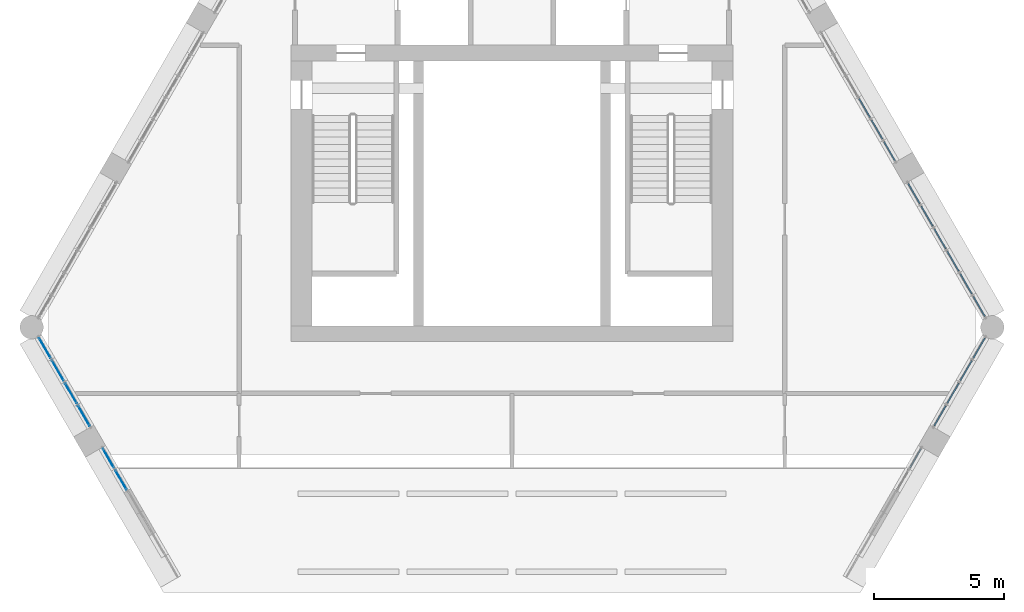
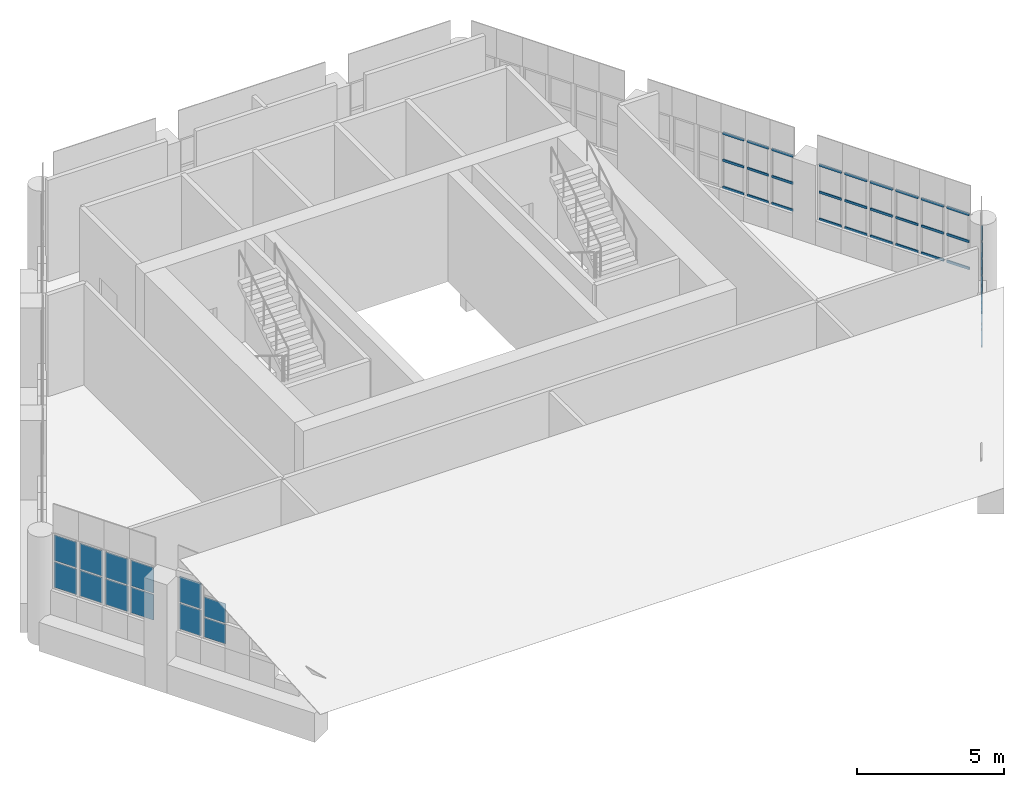
# One storey, part 15 of 23: 40 members, 12 plates, 20 elements without a shape of their own.
"""IFC4 building model written with IfcOpenShell, lengths in metres."""

from ifc_helpers import new_model, si_unit, direction, frame, origin, origin_2d, place, context, subcontext, project, spatial, rectangle, hollow_rectangle, extrude, material, layer, layer_set, material_profile, profile_set, type_object, element, aggregate, save


model = new_model("IFC4")

# Units and contexts
model_context = context("Model", 3, precision=1e-05, world=origin(), true_north=direction((0.0, 1.0)))
body_context = subcontext(model_context, "Body", "Model", "MODEL_VIEW")
ifc_project = project(units=[si_unit("LENGTHUNIT", "METRE"), si_unit("AREAUNIT", "SQUARE_METRE"), si_unit("VOLUMEUNIT", "CUBIC_METRE"), si_unit("PLANEANGLEUNIT", "RADIAN"), si_unit("MASSUNIT", "GRAM", prefix="KILO")], contexts=[model_context])

# Site, building, storey
site_placement = place(None, origin())
site = spatial("IfcSite", under=ifc_project, at=site_placement, CompositionType="ELEMENT")
building_placement = place(site_placement, origin())
building = spatial("IfcBuilding", under=site, at=building_placement, Name="Ostrander Bayou Hotel Tower", CompositionType="ELEMENT")
storey_placement = place(building_placement, frame((0.0, 0.0, 279.5)))
storey = spatial("IfcBuildingStorey", under=building, at=storey_placement, Name="L69", CompositionType="ELEMENT", Elevation=279.5)

# Curtain wall, member
ifc_material_1 = material(Name="Aluminium and clear glass", Category="aluminium")
curtain_wall_type = type_object("IfcCurtainWallType", Name="CW-CROWN glazed wall", PredefinedType="NOTDEFINED", material=ifc_material_1)
curtain_wall_1_placement = place(storey_placement, origin())
curtain_wall_1 = element("IfcCurtainWall", 1, at=curtain_wall_1_placement, inside=storey, type_object=curtain_wall_type, Name="CW-CROWN L69:SE-2-6", PredefinedType="NOTDEFINED")
ifc_material_2 = material(Name="Aluminium", Category="aluminium")
ifc_material_profile = material_profile(ifc_material_2, hollow_rectangle(XDim=0.050048828125, YDim=0.10009765625, WallThickness=0.00390625, at=origin_2d()))
ifc_profile_set = profile_set([ifc_material_profile], Name="Aluminium")
member_type = type_object("IfcMemberType", Name="CW-CR transom 50 x 100 mm", PredefinedType="USERDEFINED", material=ifc_profile_set)
member_1_placement = place(storey_placement, frame((15.320068359375, -6.56494140625, 3.27001953125), z_axis=(0.499930913282, 0.866065287345, 0.0), x_axis=(-0.866065287345, 0.499930913282, 0.0)))
member_1 = element("IfcMember", 2, at=member_1_placement, type_object=member_type, Name="CW-CROWN transom 1.3", ObjectType="TRANSOM", PredefinedType="USERDEFINED", context=body_context, shape_type="SweptSolid", body=[
    extrude(hollow_rectangle(XDim=0.050048828125, YDim=0.10009765625, WallThickness=0.00390625, at=origin_2d()), origin(), (0.0, 0.0, 1.0), 0.8447265625),
])
aggregate(curtain_wall_1, [member_1])

# Curtain wall, members
curtain_wall_2_placement = place(storey_placement, origin())
curtain_wall_2 = element("IfcCurtainWall", 3, at=curtain_wall_2_placement, inside=storey, type_object=curtain_wall_type, Name="CW-CROWN L69:SE-3-1", PredefinedType="NOTDEFINED")
member_2_placement = place(storey_placement, frame((16.25244140625, -4.949951171875, 1.030029296875), z_axis=(0.500001430823, 0.866024577697, 0.0), x_axis=(-0.866024577697, 0.500001430823, 0.0)))
member_2 = element("IfcMember", 4, at=member_2_placement, type_object=member_type, Name="CW-CROWN transom 1.1", ObjectType="TRANSOM", PredefinedType="USERDEFINED", context=body_context, shape_type="SweptSolid", body=[
    extrude(hollow_rectangle(XDim=0.050048828125, YDim=0.10009765625, WallThickness=0.00390625, at=origin_2d()), origin(), (0.0, 0.0, 1.0), 0.8837890625),
])
member_3_placement = place(storey_placement, frame((16.25244140625, -4.949951171875, 2.14990234375), z_axis=(0.500001430823, 0.866024577697, 0.0), x_axis=(-0.866024577697, 0.500001430823, 0.0)))
member_3 = element("IfcMember", 5, at=member_3_placement, type_object=member_type, Name="CW-CROWN transom 1.2", ObjectType="TRANSOM", PredefinedType="USERDEFINED", context=body_context, shape_type="SweptSolid", body=[
    extrude(hollow_rectangle(XDim=0.050048828125, YDim=0.10009765625, WallThickness=0.00390625, at=origin_2d()), origin(), (0.0, 0.0, 1.0), 0.8837890625),
])
member_4_placement = place(storey_placement, frame((16.25244140625, -4.949951171875, 3.27001953125), z_axis=(0.500001430823, 0.866024577697, 0.0), x_axis=(-0.866024577697, 0.500001430823, 0.0)))
member_4 = element("IfcMember", 6, at=member_4_placement, type_object=member_type, Name="CW-CROWN transom 1.3", ObjectType="TRANSOM", PredefinedType="USERDEFINED", context=body_context, shape_type="SweptSolid", body=[
    extrude(hollow_rectangle(XDim=0.050048828125, YDim=0.10009765625, WallThickness=0.00390625, at=origin_2d()), origin(), (0.0, 0.0, 1.0), 0.8837890625),
])
aggregate(curtain_wall_2, [member_2, member_3, member_4])

curtain_wall_3_placement = place(storey_placement, origin())
curtain_wall_3 = element("IfcCurtainWall", 7, at=curtain_wall_3_placement, inside=storey, type_object=curtain_wall_type, Name="CW-CROWN L69:SE-3-2", PredefinedType="NOTDEFINED")
member_5_placement = place(storey_placement, frame((16.75439453125, -4.080810546875, 1.030029296875), z_axis=(0.499881837328, 0.866093614288, 0.0), x_axis=(-0.866093614288, 0.499881837328, 0.0)))
member_5 = element("IfcMember", 8, at=member_5_placement, type_object=member_type, Name="CW-CROWN transom 1.1", ObjectType="TRANSOM", PredefinedType="USERDEFINED", context=body_context, shape_type="SweptSolid", body=[
    extrude(hollow_rectangle(XDim=0.050048828125, YDim=0.10009765625, WallThickness=0.00390625, at=origin_2d()), origin(), (0.0, 0.0, 1.0), 0.884033203125),
])
member_6_placement = place(storey_placement, frame((16.75439453125, -4.080810546875, 2.14990234375), z_axis=(0.499881837328, 0.866093614288, 0.0), x_axis=(-0.866093614288, 0.499881837328, 0.0)))
member_6 = element("IfcMember", 9, at=member_6_placement, type_object=member_type, Name="CW-CROWN transom 1.2", ObjectType="TRANSOM", PredefinedType="USERDEFINED", context=body_context, shape_type="SweptSolid", body=[
    extrude(hollow_rectangle(XDim=0.050048828125, YDim=0.10009765625, WallThickness=0.00390625, at=origin_2d()), origin(), (0.0, 0.0, 1.0), 0.884033203125),
])
member_7_placement = place(storey_placement, frame((16.75439453125, -4.080810546875, 3.27001953125), z_axis=(0.499881837328, 0.866093614288, 0.0), x_axis=(-0.866093614288, 0.499881837328, 0.0)))
member_7 = element("IfcMember", 10, at=member_7_placement, type_object=member_type, Name="CW-CROWN transom 1.3", ObjectType="TRANSOM", PredefinedType="USERDEFINED", context=body_context, shape_type="SweptSolid", body=[
    extrude(hollow_rectangle(XDim=0.050048828125, YDim=0.10009765625, WallThickness=0.00390625, at=origin_2d()), origin(), (0.0, 0.0, 1.0), 0.884033203125),
])
aggregate(curtain_wall_3, [member_5, member_6, member_7])

curtain_wall_4_placement = place(storey_placement, origin())
curtain_wall_4 = element("IfcCurtainWall", 11, at=curtain_wall_4_placement, inside=storey, type_object=curtain_wall_type, Name="CW-CROWN L69:SE-3-3", PredefinedType="NOTDEFINED")
member_8_placement = place(storey_placement, frame((17.256103515625, -3.21142578125, 1.030029296875), z_axis=(0.500001430823, 0.866024577697, 0.0), x_axis=(-0.866024577697, 0.500001430823, 0.0)))
member_8 = element("IfcMember", 12, at=member_8_placement, type_object=member_type, Name="CW-CROWN transom 1.1", ObjectType="TRANSOM", PredefinedType="USERDEFINED", context=body_context, shape_type="SweptSolid", body=[
    extrude(hollow_rectangle(XDim=0.050048828125, YDim=0.10009765625, WallThickness=0.00390625, at=origin_2d()), origin(), (0.0, 0.0, 1.0), 0.8837890625),
])
member_9_placement = place(storey_placement, frame((17.256103515625, -3.21142578125, 2.14990234375), z_axis=(0.500001430823, 0.866024577697, 0.0), x_axis=(-0.866024577697, 0.500001430823, 0.0)))
member_9 = element("IfcMember", 13, at=member_9_placement, type_object=member_type, Name="CW-CROWN transom 1.2", ObjectType="TRANSOM", PredefinedType="USERDEFINED", context=body_context, shape_type="SweptSolid", body=[
    extrude(hollow_rectangle(XDim=0.050048828125, YDim=0.10009765625, WallThickness=0.00390625, at=origin_2d()), origin(), (0.0, 0.0, 1.0), 0.8837890625),
])
member_10_placement = place(storey_placement, frame((17.256103515625, -3.21142578125, 3.27001953125), z_axis=(0.500001430823, 0.866024577697, 0.0), x_axis=(-0.866024577697, 0.500001430823, 0.0)))
member_10 = element("IfcMember", 14, at=member_10_placement, type_object=member_type, Name="CW-CROWN transom 1.3", ObjectType="TRANSOM", PredefinedType="USERDEFINED", context=body_context, shape_type="SweptSolid", body=[
    extrude(hollow_rectangle(XDim=0.050048828125, YDim=0.10009765625, WallThickness=0.00390625, at=origin_2d()), origin(), (0.0, 0.0, 1.0), 0.8837890625),
])
aggregate(curtain_wall_4, [member_8, member_9, member_10])

curtain_wall_5_placement = place(storey_placement, origin())
curtain_wall_5 = element("IfcCurtainWall", 15, at=curtain_wall_5_placement, inside=storey, type_object=curtain_wall_type, Name="CW-CROWN L69:SE-3-4", PredefinedType="NOTDEFINED")
member_11_placement = place(storey_placement, frame((17.758056640625, -2.342041015625, 1.030029296875), z_axis=(0.500001430823, 0.866024577697, 0.0), x_axis=(-0.866024577697, 0.500001430823, 0.0)))
member_11 = element("IfcMember", 16, at=member_11_placement, type_object=member_type, Name="CW-CROWN transom 1.1", ObjectType="TRANSOM", PredefinedType="USERDEFINED", context=body_context, shape_type="SweptSolid", body=[
    extrude(hollow_rectangle(XDim=0.050048828125, YDim=0.10009765625, WallThickness=0.00390625, at=origin_2d()), origin(), (0.0, 0.0, 1.0), 0.8837890625),
])
member_12_placement = place(storey_placement, frame((17.758056640625, -2.342041015625, 2.14990234375), z_axis=(0.500001430823, 0.866024577697, 0.0), x_axis=(-0.866024577697, 0.500001430823, 0.0)))
member_12 = element("IfcMember", 17, at=member_12_placement, type_object=member_type, Name="CW-CROWN transom 1.2", ObjectType="TRANSOM", PredefinedType="USERDEFINED", context=body_context, shape_type="SweptSolid", body=[
    extrude(hollow_rectangle(XDim=0.050048828125, YDim=0.10009765625, WallThickness=0.00390625, at=origin_2d()), origin(), (0.0, 0.0, 1.0), 0.8837890625),
])
member_13_placement = place(storey_placement, frame((17.758056640625, -2.342041015625, 3.27001953125), z_axis=(0.500001430823, 0.866024577697, 0.0), x_axis=(-0.866024577697, 0.500001430823, 0.0)))
member_13 = element("IfcMember", 18, at=member_13_placement, type_object=member_type, Name="CW-CROWN transom 1.3", ObjectType="TRANSOM", PredefinedType="USERDEFINED", context=body_context, shape_type="SweptSolid", body=[
    extrude(hollow_rectangle(XDim=0.050048828125, YDim=0.10009765625, WallThickness=0.00390625, at=origin_2d()), origin(), (0.0, 0.0, 1.0), 0.8837890625),
])
aggregate(curtain_wall_5, [member_11, member_12, member_13])

curtain_wall_6_placement = place(storey_placement, origin())
curtain_wall_6 = element("IfcCurtainWall", 19, at=curtain_wall_6_placement, inside=storey, type_object=curtain_wall_type, Name="CW-CROWN L69:NE-1-1", PredefinedType="NOTDEFINED")
member_14_placement = place(storey_placement, frame((18.2001953125, -0.736328125, 1.030029296875), z_axis=(-0.500153222552, 0.865936922628, 0.0), x_axis=(-0.865936922628, -0.500153222552, 0.0)))
member_14 = element("IfcMember", 20, at=member_14_placement, type_object=member_type, Name="CW-CROWN transom 1.1", ObjectType="TRANSOM", PredefinedType="USERDEFINED", context=body_context, shape_type="SweptSolid", body=[
    extrude(hollow_rectangle(XDim=0.050048828125, YDim=0.10009765625, WallThickness=0.00390625, at=origin_2d()), origin(), (0.0, 0.0, 1.0), 0.883056640625),
])
member_15_placement = place(storey_placement, frame((18.2001953125, -0.736328125, 2.14990234375), z_axis=(-0.500153222552, 0.865936922628, 0.0), x_axis=(-0.865936922628, -0.500153222552, 0.0)))
member_15 = element("IfcMember", 21, at=member_15_placement, type_object=member_type, Name="CW-CROWN transom 1.2", ObjectType="TRANSOM", PredefinedType="USERDEFINED", context=body_context, shape_type="SweptSolid", body=[
    extrude(hollow_rectangle(XDim=0.050048828125, YDim=0.10009765625, WallThickness=0.00390625, at=origin_2d()), origin(), (0.0, 0.0, 1.0), 0.883056640625),
])
member_16_placement = place(storey_placement, frame((18.2001953125, -0.736328125, 3.27001953125), z_axis=(-0.500153222552, 0.865936922628, 0.0), x_axis=(-0.865936922628, -0.500153222552, 0.0)))
member_16 = element("IfcMember", 22, at=member_16_placement, type_object=member_type, Name="CW-CROWN transom 1.3", ObjectType="TRANSOM", PredefinedType="USERDEFINED", context=body_context, shape_type="SweptSolid", body=[
    extrude(hollow_rectangle(XDim=0.050048828125, YDim=0.10009765625, WallThickness=0.00390625, at=origin_2d()), origin(), (0.0, 0.0, 1.0), 0.883056640625),
])
aggregate(curtain_wall_6, [member_14, member_15, member_16])

curtain_wall_7_placement = place(storey_placement, origin())
curtain_wall_7 = element("IfcCurtainWall", 23, at=curtain_wall_7_placement, inside=storey, type_object=curtain_wall_type, Name="CW-CROWN L69:NE-1-2", PredefinedType="NOTDEFINED")
member_17_placement = place(storey_placement, frame((17.698486328125, 0.13232421875, 1.030029296875), z_axis=(-0.499945861543, 0.866056658381, 0.0), x_axis=(-0.866056658381, -0.499945861543, 0.0)))
member_17 = element("IfcMember", 24, at=member_17_placement, type_object=member_type, Name="CW-CROWN transom 1.1", ObjectType="TRANSOM", PredefinedType="USERDEFINED", context=body_context, shape_type="SweptSolid", body=[
    extrude(hollow_rectangle(XDim=0.050048828125, YDim=0.10009765625, WallThickness=0.00390625, at=origin_2d()), origin(), (0.0, 0.0, 1.0), 0.8828125),
])
member_18_placement = place(storey_placement, frame((17.698486328125, 0.13232421875, 2.14990234375), z_axis=(-0.499945861543, 0.866056658381, 0.0), x_axis=(-0.866056658381, -0.499945861543, 0.0)))
member_18 = element("IfcMember", 25, at=member_18_placement, type_object=member_type, Name="CW-CROWN transom 1.2", ObjectType="TRANSOM", PredefinedType="USERDEFINED", context=body_context, shape_type="SweptSolid", body=[
    extrude(hollow_rectangle(XDim=0.050048828125, YDim=0.10009765625, WallThickness=0.00390625, at=origin_2d()), origin(), (0.0, 0.0, 1.0), 0.8828125),
])
member_19_placement = place(storey_placement, frame((17.698486328125, 0.13232421875, 3.27001953125), z_axis=(-0.499945861543, 0.866056658381, 0.0), x_axis=(-0.866056658381, -0.499945861543, 0.0)))
member_19 = element("IfcMember", 26, at=member_19_placement, type_object=member_type, Name="CW-CROWN transom 1.3", ObjectType="TRANSOM", PredefinedType="USERDEFINED", context=body_context, shape_type="SweptSolid", body=[
    extrude(hollow_rectangle(XDim=0.050048828125, YDim=0.10009765625, WallThickness=0.00390625, at=origin_2d()), origin(), (0.0, 0.0, 1.0), 0.8828125),
])
aggregate(curtain_wall_7, [member_17, member_18, member_19])

curtain_wall_8_placement = place(storey_placement, origin())
curtain_wall_8 = element("IfcCurtainWall", 27, at=curtain_wall_8_placement, inside=storey, type_object=curtain_wall_type, Name="CW-CROWN L69:NE-1-3", PredefinedType="NOTDEFINED")
member_20_placement = place(storey_placement, frame((17.197021484375, 1.0009765625, 1.030029296875), z_axis=(-0.499945861543, 0.866056658381, 0.0), x_axis=(-0.866056658381, -0.499945861543, 0.0)))
member_20 = element("IfcMember", 28, at=member_20_placement, type_object=member_type, Name="CW-CROWN transom 1.1", ObjectType="TRANSOM", PredefinedType="USERDEFINED", context=body_context, shape_type="SweptSolid", body=[
    extrude(hollow_rectangle(XDim=0.050048828125, YDim=0.10009765625, WallThickness=0.00390625, at=origin_2d()), origin(), (0.0, 0.0, 1.0), 0.8828125),
])
member_21_placement = place(storey_placement, frame((17.197021484375, 1.0009765625, 2.14990234375), z_axis=(-0.499945861543, 0.866056658381, 0.0), x_axis=(-0.866056658381, -0.499945861543, 0.0)))
member_21 = element("IfcMember", 29, at=member_21_placement, type_object=member_type, Name="CW-CROWN transom 1.2", ObjectType="TRANSOM", PredefinedType="USERDEFINED", context=body_context, shape_type="SweptSolid", body=[
    extrude(hollow_rectangle(XDim=0.050048828125, YDim=0.10009765625, WallThickness=0.00390625, at=origin_2d()), origin(), (0.0, 0.0, 1.0), 0.8828125),
])
member_22_placement = place(storey_placement, frame((17.197021484375, 1.0009765625, 3.27001953125), z_axis=(-0.499945861543, 0.866056658381, 0.0), x_axis=(-0.866056658381, -0.499945861543, 0.0)))
member_22 = element("IfcMember", 30, at=member_22_placement, type_object=member_type, Name="CW-CROWN transom 1.3", ObjectType="TRANSOM", PredefinedType="USERDEFINED", context=body_context, shape_type="SweptSolid", body=[
    extrude(hollow_rectangle(XDim=0.050048828125, YDim=0.10009765625, WallThickness=0.00390625, at=origin_2d()), origin(), (0.0, 0.0, 1.0), 0.8828125),
])
aggregate(curtain_wall_8, [member_20, member_21, member_22])

curtain_wall_9_placement = place(storey_placement, origin())
curtain_wall_9 = element("IfcCurtainWall", 31, at=curtain_wall_9_placement, inside=storey, type_object=curtain_wall_type, Name="CW-CROWN L69:NE-1-4", PredefinedType="NOTDEFINED")
member_23_placement = place(storey_placement, frame((16.695556640625, 1.86962890625, 1.030029296875), z_axis=(-0.500153222552, 0.865936922628, 0.0), x_axis=(-0.865936922628, -0.500153222552, 0.0)))
member_23 = element("IfcMember", 32, at=member_23_placement, type_object=member_type, Name="CW-CROWN transom 1.1", ObjectType="TRANSOM", PredefinedType="USERDEFINED", context=body_context, shape_type="SweptSolid", body=[
    extrude(hollow_rectangle(XDim=0.050048828125, YDim=0.10009765625, WallThickness=0.00390625, at=origin_2d()), origin(), (0.0, 0.0, 1.0), 0.883056640625),
])
member_24_placement = place(storey_placement, frame((16.695556640625, 1.86962890625, 2.14990234375), z_axis=(-0.500153222552, 0.865936922628, 0.0), x_axis=(-0.865936922628, -0.500153222552, 0.0)))
member_24 = element("IfcMember", 33, at=member_24_placement, type_object=member_type, Name="CW-CROWN transom 1.2", ObjectType="TRANSOM", PredefinedType="USERDEFINED", context=body_context, shape_type="SweptSolid", body=[
    extrude(hollow_rectangle(XDim=0.050048828125, YDim=0.10009765625, WallThickness=0.00390625, at=origin_2d()), origin(), (0.0, 0.0, 1.0), 0.883056640625),
])
member_25_placement = place(storey_placement, frame((16.695556640625, 1.86962890625, 3.27001953125), z_axis=(-0.500153222552, 0.865936922628, 0.0), x_axis=(-0.865936922628, -0.500153222552, 0.0)))
member_25 = element("IfcMember", 34, at=member_25_placement, type_object=member_type, Name="CW-CROWN transom 1.3", ObjectType="TRANSOM", PredefinedType="USERDEFINED", context=body_context, shape_type="SweptSolid", body=[
    extrude(hollow_rectangle(XDim=0.050048828125, YDim=0.10009765625, WallThickness=0.00390625, at=origin_2d()), origin(), (0.0, 0.0, 1.0), 0.883056640625),
])
aggregate(curtain_wall_9, [member_23, member_24, member_25])

curtain_wall_10_placement = place(storey_placement, origin())
curtain_wall_10 = element("IfcCurtainWall", 35, at=curtain_wall_10_placement, inside=storey, type_object=curtain_wall_type, Name="CW-CROWN L69:NE-1-5", PredefinedType="NOTDEFINED")
member_26_placement = place(storey_placement, frame((16.194091796875, 2.73828125, 1.030029296875), z_axis=(-0.500153222552, 0.865936922628, 0.0), x_axis=(-0.865936922628, -0.500153222552, 0.0)))
member_26 = element("IfcMember", 36, at=member_26_placement, type_object=member_type, Name="CW-CROWN transom 1.1", ObjectType="TRANSOM", PredefinedType="USERDEFINED", context=body_context, shape_type="SweptSolid", body=[
    extrude(hollow_rectangle(XDim=0.050048828125, YDim=0.10009765625, WallThickness=0.00390625, at=origin_2d()), origin(), (0.0, 0.0, 1.0), 0.883056640625),
])
member_27_placement = place(storey_placement, frame((16.194091796875, 2.73828125, 2.14990234375), z_axis=(-0.500153222552, 0.865936922628, 0.0), x_axis=(-0.865936922628, -0.500153222552, 0.0)))
member_27 = element("IfcMember", 37, at=member_27_placement, type_object=member_type, Name="CW-CROWN transom 1.2", ObjectType="TRANSOM", PredefinedType="USERDEFINED", context=body_context, shape_type="SweptSolid", body=[
    extrude(hollow_rectangle(XDim=0.050048828125, YDim=0.10009765625, WallThickness=0.00390625, at=origin_2d()), origin(), (0.0, 0.0, 1.0), 0.883056640625),
])
member_28_placement = place(storey_placement, frame((16.194091796875, 2.73828125, 3.27001953125), z_axis=(-0.500153222552, 0.865936922628, 0.0), x_axis=(-0.865936922628, -0.500153222552, 0.0)))
member_28 = element("IfcMember", 38, at=member_28_placement, type_object=member_type, Name="CW-CROWN transom 1.3", ObjectType="TRANSOM", PredefinedType="USERDEFINED", context=body_context, shape_type="SweptSolid", body=[
    extrude(hollow_rectangle(XDim=0.050048828125, YDim=0.10009765625, WallThickness=0.00390625, at=origin_2d()), origin(), (0.0, 0.0, 1.0), 0.883056640625),
])
aggregate(curtain_wall_10, [member_26, member_27, member_28])

curtain_wall_11_placement = place(storey_placement, origin())
curtain_wall_11 = element("IfcCurtainWall", 39, at=curtain_wall_11_placement, inside=storey, type_object=curtain_wall_type, Name="CW-CROWN L69:NE-1-6", PredefinedType="NOTDEFINED")
member_29_placement = place(storey_placement, frame((15.6923828125, 3.60693359375, 1.030029296875), z_axis=(-0.499826157957, 0.866125748273, 0.0), x_axis=(-0.866125748273, -0.499826157957, 0.0)))
member_29 = element("IfcMember", 40, at=member_29_placement, type_object=member_type, Name="CW-CROWN transom 1.1", ObjectType="TRANSOM", PredefinedType="USERDEFINED", context=body_context, shape_type="SweptSolid", body=[
    extrude(hollow_rectangle(XDim=0.050048828125, YDim=0.10009765625, WallThickness=0.00390625, at=origin_2d()), origin(), (0.0, 0.0, 1.0), 0.883056640625),
])
member_30_placement = place(storey_placement, frame((15.6923828125, 3.60693359375, 2.14990234375), z_axis=(-0.499826157957, 0.866125748273, 0.0), x_axis=(-0.866125748273, -0.499826157957, 0.0)))
member_30 = element("IfcMember", 41, at=member_30_placement, type_object=member_type, Name="CW-CROWN transom 1.2", ObjectType="TRANSOM", PredefinedType="USERDEFINED", context=body_context, shape_type="SweptSolid", body=[
    extrude(hollow_rectangle(XDim=0.050048828125, YDim=0.10009765625, WallThickness=0.00390625, at=origin_2d()), origin(), (0.0, 0.0, 1.0), 0.883056640625),
])
member_31_placement = place(storey_placement, frame((15.6923828125, 3.60693359375, 3.27001953125), z_axis=(-0.499826157957, 0.866125748273, 0.0), x_axis=(-0.866125748273, -0.499826157957, 0.0)))
member_31 = element("IfcMember", 42, at=member_31_placement, type_object=member_type, Name="CW-CROWN transom 1.3", ObjectType="TRANSOM", PredefinedType="USERDEFINED", context=body_context, shape_type="SweptSolid", body=[
    extrude(hollow_rectangle(XDim=0.050048828125, YDim=0.10009765625, WallThickness=0.00390625, at=origin_2d()), origin(), (0.0, 0.0, 1.0), 0.883056640625),
])
aggregate(curtain_wall_11, [member_29, member_30, member_31])

curtain_wall_12_placement = place(storey_placement, origin())
curtain_wall_12 = element("IfcCurtainWall", 43, at=curtain_wall_12_placement, inside=storey, type_object=curtain_wall_type, Name="CW-CROWN L69:NE-2-1", PredefinedType="NOTDEFINED")
member_32_placement = place(storey_placement, frame((14.740966796875, 5.255126953125, 1.030029296875), z_axis=(-0.500016035621, 0.866016145416, 0.0), x_axis=(-0.866016145416, -0.500016035621, 0.0)))
member_32 = element("IfcMember", 44, at=member_32_placement, type_object=member_type, Name="CW-CROWN transom 1.1", ObjectType="TRANSOM", PredefinedType="USERDEFINED", context=body_context, shape_type="SweptSolid", body=[
    extrude(hollow_rectangle(XDim=0.050048828125, YDim=0.10009765625, WallThickness=0.00390625, at=origin_2d()), origin(), (0.0, 0.0, 1.0), 0.83984375),
])
member_33_placement = place(storey_placement, frame((14.740966796875, 5.255126953125, 2.14990234375), z_axis=(-0.500016035621, 0.866016145416, 0.0), x_axis=(-0.866016145416, -0.500016035621, 0.0)))
member_33 = element("IfcMember", 45, at=member_33_placement, type_object=member_type, Name="CW-CROWN transom 1.2", ObjectType="TRANSOM", PredefinedType="USERDEFINED", context=body_context, shape_type="SweptSolid", body=[
    extrude(hollow_rectangle(XDim=0.050048828125, YDim=0.10009765625, WallThickness=0.00390625, at=origin_2d()), origin(), (0.0, 0.0, 1.0), 0.83984375),
])
member_34_placement = place(storey_placement, frame((14.740966796875, 5.255126953125, 3.27001953125), z_axis=(-0.500016035621, 0.866016145416, 0.0), x_axis=(-0.866016145416, -0.500016035621, 0.0)))
member_34 = element("IfcMember", 46, at=member_34_placement, type_object=member_type, Name="CW-CROWN transom 1.3", ObjectType="TRANSOM", PredefinedType="USERDEFINED", context=body_context, shape_type="SweptSolid", body=[
    extrude(hollow_rectangle(XDim=0.050048828125, YDim=0.10009765625, WallThickness=0.00390625, at=origin_2d()), origin(), (0.0, 0.0, 1.0), 0.83984375),
])
aggregate(curtain_wall_12, [member_32, member_33, member_34])

curtain_wall_13_placement = place(storey_placement, origin())
curtain_wall_13 = element("IfcCurtainWall", 47, at=curtain_wall_13_placement, inside=storey, type_object=curtain_wall_type, Name="CW-CROWN L69:NE-2-2", PredefinedType="NOTDEFINED")
member_35_placement = place(storey_placement, frame((14.260986328125, 6.086181640625, 1.030029296875), z_axis=(-0.500016035621, 0.866016145416, 0.0), x_axis=(-0.866016145416, -0.500016035621, 0.0)))
member_35 = element("IfcMember", 48, at=member_35_placement, type_object=member_type, Name="CW-CROWN transom 1.1", ObjectType="TRANSOM", PredefinedType="USERDEFINED", context=body_context, shape_type="SweptSolid", body=[
    extrude(hollow_rectangle(XDim=0.050048828125, YDim=0.10009765625, WallThickness=0.00390625, at=origin_2d()), origin(), (0.0, 0.0, 1.0), 0.83984375),
])
member_36_placement = place(storey_placement, frame((14.260986328125, 6.086181640625, 2.14990234375), z_axis=(-0.500016035621, 0.866016145416, 0.0), x_axis=(-0.866016145416, -0.500016035621, 0.0)))
member_36 = element("IfcMember", 49, at=member_36_placement, type_object=member_type, Name="CW-CROWN transom 1.2", ObjectType="TRANSOM", PredefinedType="USERDEFINED", context=body_context, shape_type="SweptSolid", body=[
    extrude(hollow_rectangle(XDim=0.050048828125, YDim=0.10009765625, WallThickness=0.00390625, at=origin_2d()), origin(), (0.0, 0.0, 1.0), 0.83984375),
])
member_37_placement = place(storey_placement, frame((14.260986328125, 6.086181640625, 3.27001953125), z_axis=(-0.500016035621, 0.866016145416, 0.0), x_axis=(-0.866016145416, -0.500016035621, 0.0)))
member_37 = element("IfcMember", 50, at=member_37_placement, type_object=member_type, Name="CW-CROWN transom 1.3", ObjectType="TRANSOM", PredefinedType="USERDEFINED", context=body_context, shape_type="SweptSolid", body=[
    extrude(hollow_rectangle(XDim=0.050048828125, YDim=0.10009765625, WallThickness=0.00390625, at=origin_2d()), origin(), (0.0, 0.0, 1.0), 0.83984375),
])
aggregate(curtain_wall_13, [member_35, member_36, member_37])

curtain_wall_14_placement = place(storey_placement, origin())
curtain_wall_14 = element("IfcCurtainWall", 51, at=curtain_wall_14_placement, inside=storey, type_object=curtain_wall_type, Name="CW-CROWN L69:NE-2-3", PredefinedType="NOTDEFINED")
member_38_placement = place(storey_placement, frame((13.781005859375, 6.91748046875, 1.030029296875), z_axis=(-0.500016035621, 0.866016145416, 0.0), x_axis=(-0.866016145416, -0.500016035621, 0.0)))
member_38 = element("IfcMember", 52, at=member_38_placement, type_object=member_type, Name="CW-CROWN transom 1.1", ObjectType="TRANSOM", PredefinedType="USERDEFINED", context=body_context, shape_type="SweptSolid", body=[
    extrude(hollow_rectangle(XDim=0.050048828125, YDim=0.10009765625, WallThickness=0.00390625, at=origin_2d()), origin(), (0.0, 0.0, 1.0), 0.83984375),
])
member_39_placement = place(storey_placement, frame((13.781005859375, 6.91748046875, 2.14990234375), z_axis=(-0.500016035621, 0.866016145416, 0.0), x_axis=(-0.866016145416, -0.500016035621, 0.0)))
member_39 = element("IfcMember", 53, at=member_39_placement, type_object=member_type, Name="CW-CROWN transom 1.2", ObjectType="TRANSOM", PredefinedType="USERDEFINED", context=body_context, shape_type="SweptSolid", body=[
    extrude(hollow_rectangle(XDim=0.050048828125, YDim=0.10009765625, WallThickness=0.00390625, at=origin_2d()), origin(), (0.0, 0.0, 1.0), 0.83984375),
])
member_40_placement = place(storey_placement, frame((13.781005859375, 6.91748046875, 3.27001953125), z_axis=(-0.500016035621, 0.866016145416, 0.0), x_axis=(-0.866016145416, -0.500016035621, 0.0)))
member_40 = element("IfcMember", 54, at=member_40_placement, type_object=member_type, Name="CW-CROWN transom 1.3", ObjectType="TRANSOM", PredefinedType="USERDEFINED", context=body_context, shape_type="SweptSolid", body=[
    extrude(hollow_rectangle(XDim=0.050048828125, YDim=0.10009765625, WallThickness=0.00390625, at=origin_2d()), origin(), (0.0, 0.0, 1.0), 0.83984375),
])
aggregate(curtain_wall_14, [member_38, member_39, member_40])

# Curtain wall, plates
curtain_wall_15_placement = place(storey_placement, origin())
curtain_wall_15 = element("IfcCurtainWall", 55, at=curtain_wall_15_placement, inside=storey, type_object=curtain_wall_type, Name="CW-CROWN L69:SW-1-1", PredefinedType="NOTDEFINED")
ifc_material_3 = material(Name="Clear laminated glass", Category="glass")
ifc_layer = layer(ifc_material_3, 0.028076171875)
ifc_layer_set = layer_set([ifc_layer], Name="CW-CR glazing panel 28 mm")
plate_type = type_object("IfcPlateType", Name="CW-CR glazing panel 28 mm", PredefinedType="CURTAIN_PANEL", material=ifc_layer_set)
plate_1_placement = place(storey_placement, frame((-17.97900390625, -1.959228515625, 1.06005859375), z_axis=(0.0, 0.0, 1.0), x_axis=(0.499963896343, -0.866046247237, 0.0)))
plate_1 = element("IfcPlate", 56, at=plate_1_placement, type_object=plate_type, Name="CW-CROWN panel 1.1", PredefinedType="CURTAIN_PANEL", context=body_context, shape_type="SweptSolid", body=[
    extrude(rectangle(XDim=0.8837890625, YDim=0.028076171875, at=origin_2d()), origin(), (0.0, 0.0, 1.0), 1.06005859375),
])
plate_2_placement = place(storey_placement, frame((-17.97900390625, -1.959228515625, 2.179931640625), z_axis=(0.0, 0.0, 1.0), x_axis=(0.499963896343, -0.866046247237, 0.0)))
plate_2 = element("IfcPlate", 57, at=plate_2_placement, type_object=plate_type, Name="CW-CROWN panel 1.2", PredefinedType="CURTAIN_PANEL", context=body_context, shape_type="SweptSolid", body=[
    extrude(rectangle(XDim=0.8837890625, YDim=0.028076171875, at=origin_2d()), origin(), (0.0, 0.0, 1.0), 1.06005859375),
])
aggregate(curtain_wall_15, [plate_1, plate_2])

curtain_wall_16_placement = place(storey_placement, origin())
curtain_wall_16 = element("IfcCurtainWall", 58, at=curtain_wall_16_placement, inside=storey, type_object=curtain_wall_type, Name="CW-CROWN L69:SW-1-2", PredefinedType="NOTDEFINED")
plate_3_placement = place(storey_placement, frame((-17.47705078125, -2.82861328125, 1.06005859375), z_axis=(0.0, 0.0, 1.0), x_axis=(0.500007031615, -0.866021344042, 0.0)))
plate_3 = element("IfcPlate", 59, at=plate_3_placement, type_object=plate_type, Name="CW-CROWN panel 1.1", PredefinedType="CURTAIN_PANEL", context=body_context, shape_type="SweptSolid", body=[
    extrude(rectangle(XDim=0.8837890625, YDim=0.028076171875, at=origin_2d()), origin(), (0.0, 0.0, 1.0), 1.06005859375),
])
plate_4_placement = place(storey_placement, frame((-17.47705078125, -2.82861328125, 2.179931640625), z_axis=(0.0, 0.0, 1.0), x_axis=(0.500007031615, -0.866021344042, 0.0)))
plate_4 = element("IfcPlate", 60, at=plate_4_placement, type_object=plate_type, Name="CW-CROWN panel 1.2", PredefinedType="CURTAIN_PANEL", context=body_context, shape_type="SweptSolid", body=[
    extrude(rectangle(XDim=0.8837890625, YDim=0.028076171875, at=origin_2d()), origin(), (0.0, 0.0, 1.0), 1.06005859375),
])
aggregate(curtain_wall_16, [plate_3, plate_4])

curtain_wall_17_placement = place(storey_placement, origin())
curtain_wall_17 = element("IfcCurtainWall", 61, at=curtain_wall_17_placement, inside=storey, type_object=curtain_wall_type, Name="CW-CROWN L69:SW-1-3", PredefinedType="NOTDEFINED")
plate_5_placement = place(storey_placement, frame((-16.975341796875, -3.697998046875, 1.06005859375), z_axis=(0.0, 0.0, 1.0), x_axis=(0.499963896343, -0.866046247237, 0.0)))
plate_5 = element("IfcPlate", 62, at=plate_5_placement, type_object=plate_type, Name="CW-CROWN panel 1.1", PredefinedType="CURTAIN_PANEL", context=body_context, shape_type="SweptSolid", body=[
    extrude(rectangle(XDim=0.8837890625, YDim=0.028076171875, at=origin_2d()), origin(), (0.0, 0.0, 1.0), 1.06005859375),
])
plate_6_placement = place(storey_placement, frame((-16.975341796875, -3.697998046875, 2.179931640625), z_axis=(0.0, 0.0, 1.0), x_axis=(0.499963896343, -0.866046247237, 0.0)))
plate_6 = element("IfcPlate", 63, at=plate_6_placement, type_object=plate_type, Name="CW-CROWN panel 1.2", PredefinedType="CURTAIN_PANEL", context=body_context, shape_type="SweptSolid", body=[
    extrude(rectangle(XDim=0.8837890625, YDim=0.028076171875, at=origin_2d()), origin(), (0.0, 0.0, 1.0), 1.06005859375),
])
aggregate(curtain_wall_17, [plate_5, plate_6])

curtain_wall_18_placement = place(storey_placement, origin())
curtain_wall_18 = element("IfcCurtainWall", 64, at=curtain_wall_18_placement, inside=storey, type_object=curtain_wall_type, Name="CW-CROWN L69:SW-1-4", PredefinedType="NOTDEFINED")
plate_7_placement = place(storey_placement, frame((-16.473388671875, -4.5673828125, 1.06005859375), z_axis=(0.0, 0.0, 1.0), x_axis=(0.500007031615, -0.866021344042, 0.0)))
plate_7 = element("IfcPlate", 65, at=plate_7_placement, type_object=plate_type, Name="CW-CROWN panel 1.1", PredefinedType="CURTAIN_PANEL", context=body_context, shape_type="SweptSolid", body=[
    extrude(rectangle(XDim=0.8837890625, YDim=0.028076171875, at=origin_2d()), origin(), (0.0, 0.0, 1.0), 1.06005859375),
])
plate_8_placement = place(storey_placement, frame((-16.473388671875, -4.5673828125, 2.179931640625), z_axis=(0.0, 0.0, 1.0), x_axis=(0.500007031615, -0.866021344042, 0.0)))
plate_8 = element("IfcPlate", 66, at=plate_8_placement, type_object=plate_type, Name="CW-CROWN panel 1.2", PredefinedType="CURTAIN_PANEL", context=body_context, shape_type="SweptSolid", body=[
    extrude(rectangle(XDim=0.8837890625, YDim=0.028076171875, at=origin_2d()), origin(), (0.0, 0.0, 1.0), 1.06005859375),
])
aggregate(curtain_wall_18, [plate_7, plate_8])

curtain_wall_19_placement = place(storey_placement, origin())
curtain_wall_19 = element("IfcCurtainWall", 67, at=curtain_wall_19_placement, inside=storey, type_object=curtain_wall_type, Name="CW-CROWN L69:SW-2-1", PredefinedType="NOTDEFINED")
plate_9_placement = place(storey_placement, frame((-15.53125, -6.19921875, 1.06005859375), z_axis=(0.0, 0.0, 1.0), x_axis=(0.500018540754, -0.86601469901, 0.0)))
plate_9 = element("IfcPlate", 68, at=plate_9_placement, type_object=plate_type, Name="CW-CROWN panel 1.1", PredefinedType="CURTAIN_PANEL", context=body_context, shape_type="SweptSolid", body=[
    extrude(rectangle(XDim=0.8447265625, YDim=0.028076171875, at=origin_2d()), origin(), (0.0, 0.0, 1.0), 1.06005859375),
])
plate_10_placement = place(storey_placement, frame((-15.53125, -6.19921875, 2.179931640625), z_axis=(0.0, 0.0, 1.0), x_axis=(0.500018540754, -0.86601469901, 0.0)))
plate_10 = element("IfcPlate", 69, at=plate_10_placement, type_object=plate_type, Name="CW-CROWN panel 1.2", PredefinedType="CURTAIN_PANEL", context=body_context, shape_type="SweptSolid", body=[
    extrude(rectangle(XDim=0.8447265625, YDim=0.028076171875, at=origin_2d()), origin(), (0.0, 0.0, 1.0), 1.06005859375),
])
aggregate(curtain_wall_19, [plate_9, plate_10])

curtain_wall_20_placement = place(storey_placement, origin())
curtain_wall_20 = element("IfcCurtainWall", 70, at=curtain_wall_20_placement, inside=storey, type_object=curtain_wall_type, Name="CW-CROWN L69:SW-2-2", PredefinedType="NOTDEFINED")
plate_11_placement = place(storey_placement, frame((-15.048828125, -7.03466796875, 1.06005859375), z_axis=(0.0, 0.0, 1.0), x_axis=(0.499973660258, -0.866040610507, 0.0)))
plate_11 = element("IfcPlate", 71, at=plate_11_placement, type_object=plate_type, Name="CW-CROWN panel 1.1", PredefinedType="CURTAIN_PANEL", context=body_context, shape_type="SweptSolid", body=[
    extrude(rectangle(XDim=0.844970703125, YDim=0.028076171875, at=origin_2d()), origin(), (0.0, 0.0, 1.0), 0.802978515625),
])
plate_12_placement = place(storey_placement, frame((-15.048828125, -7.03466796875, 1.9228515625), z_axis=(0.0, 0.0, 1.0), x_axis=(0.499973660258, -0.866040610507, 0.0)))
plate_12 = element("IfcPlate", 72, at=plate_12_placement, type_object=plate_type, Name="CW-CROWN panel 1.2", PredefinedType="CURTAIN_PANEL", context=body_context, shape_type="SweptSolid", body=[
    extrude(rectangle(XDim=0.844970703125, YDim=0.028076171875, at=origin_2d()), origin(), (0.0, 0.0, 1.0), 0.802978515625),
])
aggregate(curtain_wall_20, [plate_11, plate_12])

save(model, "model.ifc")
